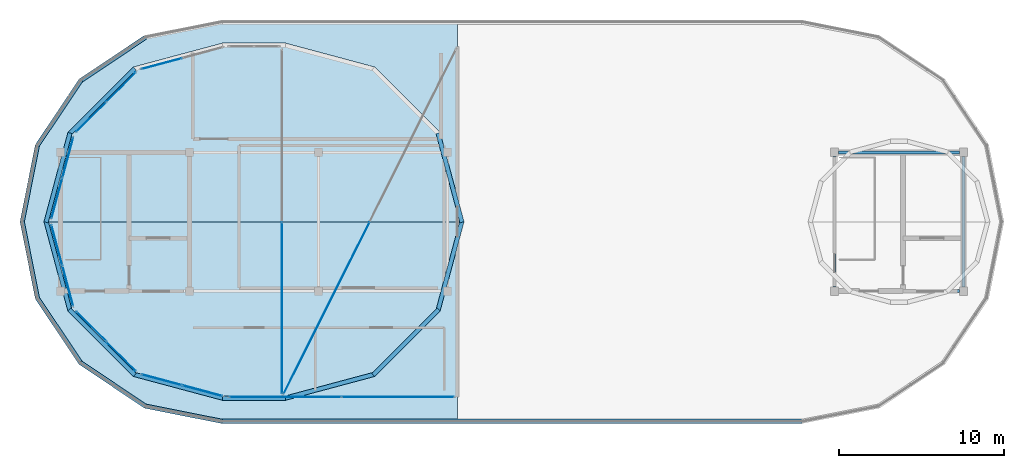
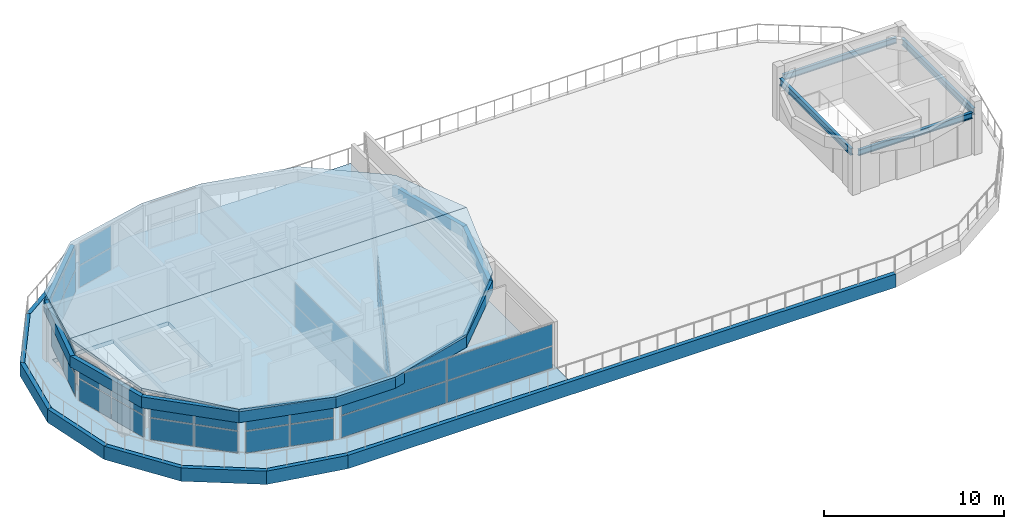
# One storey, part 12 of 15: 48 plates, 4 beams, 3 slabs, 9 elements without a shape of their own.
"""IFC4 building model written with IfcOpenShell, lengths in metres."""

from ifc_helpers import new_model, si_unit, direction, frame, origin, origin_2d, place, context, subcontext, project, spatial, polyline, rectangle, i_section, outline, extrude, material, layer, layer_set, material_profile, profile_set, type_object, element, aggregate, save


model = new_model("IFC4")

# Units and contexts
model_context = context("Model", 3, precision=1e-05, world=origin(), true_north=direction((0.0, 1.0)))
body_context = subcontext(model_context, "Body", "Model", "MODEL_VIEW")
ifc_project = project(units=[si_unit("LENGTHUNIT", "METRE"), si_unit("AREAUNIT", "SQUARE_METRE"), si_unit("VOLUMEUNIT", "CUBIC_METRE"), si_unit("PLANEANGLEUNIT", "RADIAN"), si_unit("MASSUNIT", "GRAM", prefix="KILO")], contexts=[model_context])

# Site, building, storey
site_placement = place(None, origin())
site = spatial("IfcSite", under=ifc_project, at=site_placement, CompositionType="ELEMENT")
building_placement = place(site_placement, origin())
building = spatial("IfcBuilding", under=site, at=building_placement, Name="Zizhar Promenade General Hospital", CompositionType="ELEMENT")
storey_placement = place(building_placement, frame((0.0, 0.0, 43.199951171875)))
storey = spatial("IfcBuildingStorey", under=building, at=storey_placement, Name="Roof", CompositionType="ELEMENT", Elevation=43.199951171875)

# Beams
ifc_material_1 = material(Name="Steel S355", Category="steel")
ifc_material_profile_1 = material_profile(ifc_material_1, i_section(OverallWidth=0.179931640625, OverallDepth=0.39990234375, WebThickness=0.008544921875, FlangeThickness=0.013427734375, FilletRadius=0.02099609375, at=origin_2d()))
ifc_profile_set_1 = profile_set([ifc_material_profile_1], Name="Steel S355")
beam_type_1 = type_object("IfcBeamType", Name="BM-STL-IPE400", PredefinedType="JOIST", material=ifc_profile_set_1)
for number, where, z_axis, x_axis, name in (
    (1, (93.85009765625, 8.39990234375, 2.610107421875), (1.0, 0.0, 0.0), (0.0, 1.0, 0.0), "Grid Beam X Roof (12-1)"),
    (2, (93.85009765625, 16.800048828125, 2.610107421875), (1.0, 0.0, 0.0), (0.0, 1.0, 0.0), "Grid Beam X Roof (12-2)"),
):
    element("IfcBeam", number, at=place(storey_placement, frame(where, z_axis=z_axis, x_axis=x_axis)), inside=storey, type_object=beam_type_1, Name=name, PredefinedType="JOIST", context=body_context, shape_type="SweptSolid", body=[
        extrude(i_section(OverallWidth=0.179931640625, OverallDepth=0.39990234375, WebThickness=0.008544921875, FlangeThickness=0.013427734375, FilletRadius=0.02099609375, at=origin_2d()), origin(), (0.0, 0.0, 1.0), 7.2998046875),
    ])
ifc_material_2 = material(Name="Steel S355", Category="steel")
ifc_material_profile_2 = material_profile(ifc_material_2, i_section(OverallWidth=0.18994140625, OverallDepth=0.449951171875, WebThickness=0.009521484375, FlangeThickness=0.0146484375, FilletRadius=0.02099609375, at=origin_2d()))
ifc_profile_set_2 = profile_set([ifc_material_profile_2], Name="Steel S355")
beam_type_2 = type_object("IfcBeamType", Name="BM-STL-IPE450", PredefinedType="JOIST", material=ifc_profile_set_2)
for number, where, z_axis, x_axis, name in (
    (3, (93.60009765625, 8.64990234375, 2.5849609375), (0.0, 1.0, 0.0), (-1.0, 0.0, 0.0), "Grid Beam Y Roof (12-1)"),
    (4, (101.39990234375, 8.64990234375, 2.5849609375), (0.0, 1.0, 0.0), (-1.0, 0.0, 0.0), "Grid Beam Y Roof (13-1)"),
):
    element("IfcBeam", number, at=place(storey_placement, frame(where, z_axis=z_axis, x_axis=x_axis)), inside=storey, type_object=beam_type_2, Name=name, PredefinedType="JOIST", context=body_context, shape_type="SweptSolid", body=[
        extrude(i_section(OverallWidth=0.18994140625, OverallDepth=0.449951171875, WebThickness=0.009521484375, FlangeThickness=0.0146484375, FilletRadius=0.02099609375, at=origin_2d()), origin(), (0.0, 0.0, 1.0), 7.900146484375),
    ])

# Curtain wall, plates
ifc_material_3 = material(Name="Anodised aluminium 6063-T6 and low-E glass", Category="aluminium")
ifc_layer_1 = layer(ifc_material_3, 0.159912109375)
ifc_layer_set_1 = layer_set([ifc_layer_1], Name="Anodised aluminium 6063-T6 and low-E glass")
curtain_wall_type = type_object("IfcCurtainWallType", Name="CW-WARD-ARC", PredefinedType="NOTDEFINED", material=ifc_layer_set_1)
curtain_wall_1_placement = place(storey_placement, origin())
curtain_wall_1 = element("IfcCurtainWall", 5, at=curtain_wall_1_placement, inside=storey, type_object=curtain_wall_type, Name="Rooftop Pillow Crown Glazing 02", PredefinedType="NOTDEFINED")
ifc_material_4 = material(Name="Low-E solar-control glass", Category="glass")
ifc_layer_2 = layer(ifc_material_4, 0.031982421875)
ifc_layer_set_2 = layer_set([ifc_layer_2], Name="Low-E solar-control glass")
plate_type_1 = type_object("IfcPlateType", Name="CWP-GLZ-32", PredefinedType="CURTAIN_PANEL", material=ifc_layer_set_2)
plate_1_placement = place(storey_placement, frame((62.892578125, 7.385009765625, 0.06005859375), z_axis=(0.0, 0.0, 1.0), x_axis=(0.447210174098, 0.894428901692, 0.0)))
plate_1 = element("IfcPlate", 6, at=plate_1_placement, type_object=plate_type_1, Name="CW-12 panel 1.1", PredefinedType="CURTAIN_PANEL", context=body_context, shape_type="SweptSolid", body=[
    extrude(rectangle(XDim=11.60107421875, YDim=0.031982421875, at=origin_2d()), origin(), (0.0, 0.0, 1.0), 1.4599609375),
])
plate_2_placement = place(storey_placement, frame((62.892578125, 7.385009765625, 1.580078125), z_axis=(0.0, 0.0, 1.0), x_axis=(0.447210174098, 0.894428901692, 0.0)))
plate_2 = element("IfcPlate", 7, at=plate_2_placement, type_object=plate_type_1, Name="CW-12 panel 1.2", PredefinedType="CURTAIN_PANEL", context=body_context, shape_type="SweptSolid", body=[
    extrude(rectangle(XDim=11.60107421875, YDim=0.031982421875, at=origin_2d()), origin(), (0.0, 0.0, 1.0), 1.4599609375),
])
aggregate(curtain_wall_1, [plate_1, plate_2])

curtain_wall_2_placement = place(storey_placement, origin())
curtain_wall_2 = element("IfcCurtainWall", 8, at=curtain_wall_2_placement, inside=storey, type_object=curtain_wall_type, Name="Rooftop Pillow Crown Glazing 03", PredefinedType="NOTDEFINED")
plate_3_placement = place(storey_placement, frame((60.199951171875, 7.39501953125, 0.06005859375), z_axis=(0.0, 0.0, 1.0), x_axis=(0.0, -1.0, 0.0)))
plate_3 = element("IfcPlate", 9, at=plate_3_placement, type_object=plate_type_1, Name="CW-12 panel 2.1", PredefinedType="CURTAIN_PANEL", context=body_context, shape_type="SweptSolid", body=[
    extrude(rectangle(XDim=10.35009765625, YDim=0.031982421875, at=origin_2d()), origin(), (0.0, 0.0, 1.0), 1.4599609375),
])
plate_4_placement = place(storey_placement, frame((60.199951171875, 7.39501953125, 1.580078125), z_axis=(0.0, 0.0, 1.0), x_axis=(0.0, -1.0, 0.0)))
plate_4 = element("IfcPlate", 10, at=plate_4_placement, type_object=plate_type_1, Name="CW-12 panel 2.2", PredefinedType="CURTAIN_PANEL", context=body_context, shape_type="SweptSolid", body=[
    extrude(rectangle(XDim=10.35009765625, YDim=0.031982421875, at=origin_2d()), origin(), (0.0, 0.0, 1.0), 1.4599609375),
])
aggregate(curtain_wall_2, [plate_3, plate_4])

curtain_wall_3_placement = place(storey_placement, origin())
curtain_wall_3 = element("IfcCurtainWall", 11, at=curtain_wall_3_placement, inside=storey, type_object=curtain_wall_type, Name="Rooftop Pillow Crown Glazing 05", PredefinedType="NOTDEFINED")
plate_5_placement = place(storey_placement, frame((52.916748046875, 22.159423828125, 0.06005859375), z_axis=(0.0, 0.0, 1.0), x_axis=(0.965927491601, 0.258812829994, 0.0)))
plate_5 = element("IfcPlate", 12, at=plate_5_placement, type_object=plate_type_1, Name="CW-12 panel 1.1", PredefinedType="CURTAIN_PANEL", context=body_context, shape_type="SweptSolid", body=[
    extrude(rectangle(XDim=2.493408203125, YDim=0.031982421875, at=origin_2d()), origin(), (0.0, 0.0, 1.0), 1.4599609375),
])
plate_6_placement = place(storey_placement, frame((52.916748046875, 22.159423828125, 1.580078125), z_axis=(0.0, 0.0, 1.0), x_axis=(0.965927491601, 0.258812829994, 0.0)))
plate_6 = element("IfcPlate", 13, at=plate_6_placement, type_object=plate_type_1, Name="CW-12 panel 1.2", PredefinedType="CURTAIN_PANEL", context=body_context, shape_type="SweptSolid", body=[
    extrude(rectangle(XDim=2.493408203125, YDim=0.031982421875, at=origin_2d()), origin(), (0.0, 0.0, 1.0), 1.4599609375),
])
aggregate(curtain_wall_3, [plate_5, plate_6])

curtain_wall_4_placement = place(storey_placement, origin())
curtain_wall_4 = element("IfcCurtainWall", 14, at=curtain_wall_4_placement, inside=storey, type_object=curtain_wall_type, Name="Rooftop Pillow Crown Glazing 06", PredefinedType="NOTDEFINED")
plate_7_placement = place(storey_placement, frame((48.6572265625, 18.93701171875, 0.06005859375), z_axis=(0.0, 0.0, 1.0), x_axis=(0.707106781187, 0.707106781187, 0.0)))
plate_7 = element("IfcPlate", 15, at=plate_7_placement, type_object=plate_type_1, Name="CW-12 panel 1.1", PredefinedType="CURTAIN_PANEL", context=body_context, shape_type="SweptSolid", body=[
    extrude(rectangle(XDim=2.49365234375, YDim=0.031982421875, at=origin_2d()), origin(), (0.0, 0.0, 1.0), 1.4599609375),
])
plate_8_placement = place(storey_placement, frame((48.6572265625, 18.93701171875, 1.580078125), z_axis=(0.0, 0.0, 1.0), x_axis=(0.707106781187, 0.707106781187, 0.0)))
plate_8 = element("IfcPlate", 16, at=plate_8_placement, type_object=plate_type_1, Name="CW-12 panel 1.2", PredefinedType="CURTAIN_PANEL", context=body_context, shape_type="SweptSolid", body=[
    extrude(rectangle(XDim=2.49365234375, YDim=0.031982421875, at=origin_2d()), origin(), (0.0, 0.0, 1.0), 1.4599609375),
])
plate_9_placement = place(storey_placement, frame((50.462890625, 20.74267578125, 0.06005859375), z_axis=(0.0, 0.0, 1.0), x_axis=(0.707106781187, 0.707106781187, 0.0)))
plate_9 = element("IfcPlate", 17, at=plate_9_placement, type_object=plate_type_1, Name="CW-12 panel 2.1", PredefinedType="CURTAIN_PANEL", context=body_context, shape_type="SweptSolid", body=[
    extrude(rectangle(XDim=2.49365234375, YDim=0.031982421875, at=origin_2d()), origin(), (0.0, 0.0, 1.0), 1.4599609375),
])
plate_10_placement = place(storey_placement, frame((50.462890625, 20.74267578125, 1.580078125), z_axis=(0.0, 0.0, 1.0), x_axis=(0.707106781187, 0.707106781187, 0.0)))
plate_10 = element("IfcPlate", 18, at=plate_10_placement, type_object=plate_type_1, Name="CW-12 panel 2.2", PredefinedType="CURTAIN_PANEL", context=body_context, shape_type="SweptSolid", body=[
    extrude(rectangle(XDim=2.49365234375, YDim=0.031982421875, at=origin_2d()), origin(), (0.0, 0.0, 1.0), 1.4599609375),
])
aggregate(curtain_wall_4, [plate_7, plate_8, plate_9, plate_10])

curtain_wall_5_placement = place(storey_placement, origin())
curtain_wall_5 = element("IfcCurtainWall", 19, at=curtain_wall_5_placement, inside=storey, type_object=curtain_wall_type, Name="Rooftop Pillow Crown Glazing 07", PredefinedType="NOTDEFINED")
plate_11_placement = place(storey_placement, frame((46.57958984375, 14.016845703125, 0.06005859375), z_axis=(0.0, 0.0, 1.0), x_axis=(0.258812829994, 0.965927491601, 0.0)))
plate_11 = element("IfcPlate", 20, at=plate_11_placement, type_object=plate_type_1, Name="CW-12 panel 1.1", PredefinedType="CURTAIN_PANEL", context=body_context, shape_type="SweptSolid", body=[
    extrude(rectangle(XDim=2.493408203125, YDim=0.031982421875, at=origin_2d()), origin(), (0.0, 0.0, 1.0), 1.4599609375),
])
plate_12_placement = place(storey_placement, frame((46.57958984375, 14.016845703125, 1.580078125), z_axis=(0.0, 0.0, 1.0), x_axis=(0.258812829994, 0.965927491601, 0.0)))
plate_12 = element("IfcPlate", 21, at=plate_12_placement, type_object=plate_type_1, Name="CW-12 panel 1.2", PredefinedType="CURTAIN_PANEL", context=body_context, shape_type="SweptSolid", body=[
    extrude(rectangle(XDim=2.493408203125, YDim=0.031982421875, at=origin_2d()), origin(), (0.0, 0.0, 1.0), 1.4599609375),
])
plate_13_placement = place(storey_placement, frame((47.240478515625, 16.483154296875, 0.06005859375), z_axis=(0.0, 0.0, 1.0), x_axis=(0.258812829994, 0.965927491601, 0.0)))
plate_13 = element("IfcPlate", 22, at=plate_13_placement, type_object=plate_type_1, Name="CW-12 panel 2.1", PredefinedType="CURTAIN_PANEL", context=body_context, shape_type="SweptSolid", body=[
    extrude(rectangle(XDim=2.493408203125, YDim=0.031982421875, at=origin_2d()), origin(), (0.0, 0.0, 1.0), 1.4599609375),
])
plate_14_placement = place(storey_placement, frame((47.240478515625, 16.483154296875, 1.580078125), z_axis=(0.0, 0.0, 1.0), x_axis=(0.258812829994, 0.965927491601, 0.0)))
plate_14 = element("IfcPlate", 23, at=plate_14_placement, type_object=plate_type_1, Name="CW-12 panel 2.2", PredefinedType="CURTAIN_PANEL", context=body_context, shape_type="SweptSolid", body=[
    extrude(rectangle(XDim=2.493408203125, YDim=0.031982421875, at=origin_2d()), origin(), (0.0, 0.0, 1.0), 1.4599609375),
])
aggregate(curtain_wall_5, [plate_11, plate_12, plate_13, plate_14])

curtain_wall_6_placement = place(storey_placement, origin())
curtain_wall_6 = element("IfcCurtainWall", 24, at=curtain_wall_6_placement, inside=storey, type_object=curtain_wall_type, Name="Rooftop Pillow Crown Glazing 08", PredefinedType="NOTDEFINED")
plate_15_placement = place(storey_placement, frame((47.240478515625, 8.716796875, 0.06005859375), z_axis=(0.0, 0.0, 1.0), x_axis=(-0.258812829994, 0.965927491601, 0.0)))
plate_15 = element("IfcPlate", 25, at=plate_15_placement, type_object=plate_type_1, Name="CW-12 panel 1.1", PredefinedType="CURTAIN_PANEL", context=body_context, shape_type="SweptSolid", body=[
    extrude(rectangle(XDim=2.493408203125, YDim=0.031982421875, at=origin_2d()), origin(), (0.0, 0.0, 1.0), 1.4599609375),
])
plate_16_placement = place(storey_placement, frame((47.240478515625, 8.716796875, 1.580078125), z_axis=(0.0, 0.0, 1.0), x_axis=(-0.258812829994, 0.965927491601, 0.0)))
plate_16 = element("IfcPlate", 26, at=plate_16_placement, type_object=plate_type_1, Name="CW-12 panel 1.2", PredefinedType="CURTAIN_PANEL", context=body_context, shape_type="SweptSolid", body=[
    extrude(rectangle(XDim=2.493408203125, YDim=0.031982421875, at=origin_2d()), origin(), (0.0, 0.0, 1.0), 1.4599609375),
])
plate_17_placement = place(storey_placement, frame((46.57958984375, 11.183349609375, 0.06005859375), z_axis=(0.0, 0.0, 1.0), x_axis=(-0.258812829994, 0.965927491601, 0.0)))
plate_17 = element("IfcPlate", 27, at=plate_17_placement, type_object=plate_type_1, Name="CW-12 panel 2.1", PredefinedType="CURTAIN_PANEL", context=body_context, shape_type="SweptSolid", body=[
    extrude(rectangle(XDim=2.493408203125, YDim=0.031982421875, at=origin_2d()), origin(), (0.0, 0.0, 1.0), 1.4599609375),
])
plate_18_placement = place(storey_placement, frame((46.57958984375, 11.183349609375, 1.580078125), z_axis=(0.0, 0.0, 1.0), x_axis=(-0.258812829994, 0.965927491601, 0.0)))
plate_18 = element("IfcPlate", 28, at=plate_18_placement, type_object=plate_type_1, Name="CW-12 panel 2.2", PredefinedType="CURTAIN_PANEL", context=body_context, shape_type="SweptSolid", body=[
    extrude(rectangle(XDim=2.493408203125, YDim=0.031982421875, at=origin_2d()), origin(), (0.0, 0.0, 1.0), 1.4599609375),
])
aggregate(curtain_wall_6, [plate_15, plate_16, plate_17, plate_18])

curtain_wall_7_placement = place(storey_placement, origin())
curtain_wall_7 = element("IfcCurtainWall", 29, at=curtain_wall_7_placement, inside=storey, type_object=curtain_wall_type, Name="Rooftop Pillow Crown Glazing 09", PredefinedType="NOTDEFINED")
plate_19_placement = place(storey_placement, frame((50.462890625, 4.457275390625, 0.06005859375), z_axis=(0.0, 0.0, 1.0), x_axis=(-0.707106781187, 0.707106781187, 0.0)))
plate_19 = element("IfcPlate", 30, at=plate_19_placement, type_object=plate_type_1, Name="CW-12 panel 1.1", PredefinedType="CURTAIN_PANEL", context=body_context, shape_type="SweptSolid", body=[
    extrude(rectangle(XDim=2.49365234375, YDim=0.031982421875, at=origin_2d()), origin(), (0.0, 0.0, 1.0), 1.4599609375),
])
plate_20_placement = place(storey_placement, frame((50.462890625, 4.457275390625, 1.580078125), z_axis=(0.0, 0.0, 1.0), x_axis=(-0.707106781187, 0.707106781187, 0.0)))
plate_20 = element("IfcPlate", 31, at=plate_20_placement, type_object=plate_type_1, Name="CW-12 panel 1.2", PredefinedType="CURTAIN_PANEL", context=body_context, shape_type="SweptSolid", body=[
    extrude(rectangle(XDim=2.49365234375, YDim=0.031982421875, at=origin_2d()), origin(), (0.0, 0.0, 1.0), 1.4599609375),
])
plate_21_placement = place(storey_placement, frame((48.6572265625, 6.262939453125, 0.06005859375), z_axis=(0.0, 0.0, 1.0), x_axis=(-0.707106781187, 0.707106781187, 0.0)))
plate_21 = element("IfcPlate", 32, at=plate_21_placement, type_object=plate_type_1, Name="CW-12 panel 2.1", PredefinedType="CURTAIN_PANEL", context=body_context, shape_type="SweptSolid", body=[
    extrude(rectangle(XDim=2.49365234375, YDim=0.031982421875, at=origin_2d()), origin(), (0.0, 0.0, 1.0), 1.4599609375),
])
plate_22_placement = place(storey_placement, frame((48.6572265625, 6.262939453125, 1.580078125), z_axis=(0.0, 0.0, 1.0), x_axis=(-0.707106781187, 0.707106781187, 0.0)))
plate_22 = element("IfcPlate", 33, at=plate_22_placement, type_object=plate_type_1, Name="CW-12 panel 2.2", PredefinedType="CURTAIN_PANEL", context=body_context, shape_type="SweptSolid", body=[
    extrude(rectangle(XDim=2.49365234375, YDim=0.031982421875, at=origin_2d()), origin(), (0.0, 0.0, 1.0), 1.4599609375),
])
aggregate(curtain_wall_7, [plate_19, plate_20, plate_21, plate_22])

curtain_wall_8_placement = place(storey_placement, origin())
curtain_wall_8 = element("IfcCurtainWall", 34, at=curtain_wall_8_placement, inside=storey, type_object=curtain_wall_type, Name="Rooftop Pillow Crown Glazing 10", PredefinedType="NOTDEFINED")
plate_23_placement = place(storey_placement, frame((55.38330078125, 2.379638671875, 0.06005859375), z_axis=(0.0, 0.0, 1.0), x_axis=(-0.965927491601, 0.258812829994, 0.0)))
plate_23 = element("IfcPlate", 35, at=plate_23_placement, type_object=plate_type_1, Name="CW-12 panel 1.1", PredefinedType="CURTAIN_PANEL", context=body_context, shape_type="SweptSolid", body=[
    extrude(rectangle(XDim=2.493408203125, YDim=0.031982421875, at=origin_2d()), origin(), (0.0, 0.0, 1.0), 1.4599609375),
])
plate_24_placement = place(storey_placement, frame((55.38330078125, 2.379638671875, 1.580078125), z_axis=(0.0, 0.0, 1.0), x_axis=(-0.965927491601, 0.258812829994, 0.0)))
plate_24 = element("IfcPlate", 36, at=plate_24_placement, type_object=plate_type_1, Name="CW-12 panel 1.2", PredefinedType="CURTAIN_PANEL", context=body_context, shape_type="SweptSolid", body=[
    extrude(rectangle(XDim=2.493408203125, YDim=0.031982421875, at=origin_2d()), origin(), (0.0, 0.0, 1.0), 1.4599609375),
])
plate_25_placement = place(storey_placement, frame((52.916748046875, 3.04052734375, 0.06005859375), z_axis=(0.0, 0.0, 1.0), x_axis=(-0.965927491601, 0.258812829994, 0.0)))
plate_25 = element("IfcPlate", 37, at=plate_25_placement, type_object=plate_type_1, Name="CW-12 panel 2.1", PredefinedType="CURTAIN_PANEL", context=body_context, shape_type="SweptSolid", body=[
    extrude(rectangle(XDim=2.493408203125, YDim=0.031982421875, at=origin_2d()), origin(), (0.0, 0.0, 1.0), 1.4599609375),
])
plate_26_placement = place(storey_placement, frame((52.916748046875, 3.04052734375, 1.580078125), z_axis=(0.0, 0.0, 1.0), x_axis=(-0.965927491601, 0.258812829994, 0.0)))
plate_26 = element("IfcPlate", 38, at=plate_26_placement, type_object=plate_type_1, Name="CW-12 panel 2.2", PredefinedType="CURTAIN_PANEL", context=body_context, shape_type="SweptSolid", body=[
    extrude(rectangle(XDim=2.493408203125, YDim=0.031982421875, at=origin_2d()), origin(), (0.0, 0.0, 1.0), 1.4599609375),
])
aggregate(curtain_wall_8, [plate_23, plate_24, plate_25, plate_26])

curtain_wall_9_placement = place(storey_placement, origin())
curtain_wall_9 = element("IfcCurtainWall", 39, at=curtain_wall_9_placement, inside=storey, type_object=curtain_wall_type, Name="Rooftop Pillow Crown Glazing 11", PredefinedType="NOTDEFINED")
plate_27_placement = place(storey_placement, frame((67.205078125, 2.0, 0.06005859375), z_axis=(0.0, 0.0, 1.0), x_axis=(-1.0, 0.0, 0.0)))
plate_27 = element("IfcPlate", 40, at=plate_27_placement, type_object=plate_type_1, Name="CW-12 panel 1.1", PredefinedType="CURTAIN_PANEL", context=body_context, shape_type="SweptSolid", body=[
    extrude(rectangle(XDim=6.75, YDim=0.031982421875, at=origin_2d()), origin(), (0.0, 0.0, 1.0), 1.4599609375),
])
plate_28_placement = place(storey_placement, frame((67.205078125, 2.0, 1.580078125), z_axis=(0.0, 0.0, 1.0), x_axis=(-1.0, 0.0, 0.0)))
plate_28 = element("IfcPlate", 41, at=plate_28_placement, type_object=plate_type_1, Name="CW-12 panel 1.2", PredefinedType="CURTAIN_PANEL", context=body_context, shape_type="SweptSolid", body=[
    extrude(rectangle(XDim=6.75, YDim=0.031982421875, at=origin_2d()), origin(), (0.0, 0.0, 1.0), 1.4599609375),
])
plate_29_placement = place(storey_placement, frame((60.39501953125, 2.0, 0.06005859375), z_axis=(0.0, 0.0, 1.0), x_axis=(-1.0, 0.0, 0.0)))
plate_29 = element("IfcPlate", 42, at=plate_29_placement, type_object=plate_type_1, Name="CW-12 panel 2.1", PredefinedType="CURTAIN_PANEL", context=body_context, shape_type="SweptSolid", body=[
    extrude(rectangle(XDim=6.75, YDim=0.031982421875, at=origin_2d()), origin(), (0.0, 0.0, 1.0), 1.4599609375),
])
plate_30_placement = place(storey_placement, frame((60.39501953125, 2.0, 1.580078125), z_axis=(0.0, 0.0, 1.0), x_axis=(-1.0, 0.0, 0.0)))
plate_30 = element("IfcPlate", 43, at=plate_30_placement, type_object=plate_type_1, Name="CW-12 panel 2.2", PredefinedType="CURTAIN_PANEL", context=body_context, shape_type="SweptSolid", body=[
    extrude(rectangle(XDim=6.75, YDim=0.031982421875, at=origin_2d()), origin(), (0.0, 0.0, 1.0), 1.4599609375),
])
aggregate(curtain_wall_9, [plate_27, plate_28, plate_29, plate_30])

# Plates
ifc_material_5 = material(Name="Precast concrete C40/50", Category="concrete")
ifc_layer_3 = layer(ifc_material_5, 0.260009765625)
ifc_layer_set_3 = layer_set([ifc_layer_3], Name="Precast concrete C40/50")
plate_type_2 = type_object("IfcPlateType", Name="PL-PC-BAND950", PredefinedType="USERDEFINED", material=ifc_layer_set_3)
plate_31_placement = place(storey_placement, frame((0.0, 0.0, -0.89990234375)))
element("IfcPlate", 44, at=plate_31_placement, inside=storey, type_object=plate_type_2, Name="Ward Precast Slab Band Roof-11", ObjectType="FASCIA_BAND", PredefinedType="USERDEFINED", context=body_context, shape_type="SweptSolid", body=[
    extrude(outline(polyline([(51.88134765625, 23.871337890625), (47.92333984375, 21.226806640625), (48.067626953125, 21.010498046875), (52.025634765625, 23.655029296875), (51.88134765625, 23.871337890625)])), origin(), (0.0, 0.0, 1.0), 0.89990234375),
])
plate_32_placement = place(storey_placement, frame((0.0, 0.0, -0.89990234375)))
element("IfcPlate", 45, at=plate_32_placement, inside=storey, type_object=plate_type_2, Name="Ward Precast Slab Band Roof-12", ObjectType="FASCIA_BAND", PredefinedType="USERDEFINED", context=body_context, shape_type="SweptSolid", body=[
    extrude(outline(polyline([(47.92333984375, 21.226806640625), (45.27880859375, 17.268798828125), (45.494873046875, 17.124267578125), (48.139404296875, 21.082275390625), (47.92333984375, 21.226806640625)])), origin(), (0.0, 0.0, 1.0), 0.89990234375),
])
plate_33_placement = place(storey_placement, frame((0.0, 0.0, -0.89990234375)))
element("IfcPlate", 46, at=plate_33_placement, inside=storey, type_object=plate_type_2, Name="Ward Precast Slab Band Roof-13", ObjectType="FASCIA_BAND", PredefinedType="USERDEFINED", context=body_context, shape_type="SweptSolid", body=[
    extrude(outline(polyline([(45.27880859375, 17.268798828125), (44.35009765625, 12.60009765625), (44.60498046875, 12.54931640625), (45.53369140625, 17.218017578125), (45.27880859375, 17.268798828125)])), origin(), (0.0, 0.0, 1.0), 0.89990234375),
])
plate_34_placement = place(storey_placement, frame((0.0, 0.0, -0.89990234375)))
element("IfcPlate", 47, at=plate_34_placement, inside=storey, type_object=plate_type_2, Name="Ward Precast Slab Band Roof-14", ObjectType="FASCIA_BAND", PredefinedType="USERDEFINED", context=body_context, shape_type="SweptSolid", body=[
    extrude(outline(polyline([(44.35009765625, 12.60009765625), (45.27880859375, 7.931396484375), (45.53369140625, 7.98193359375), (44.60498046875, 12.650634765625), (44.35009765625, 12.60009765625)])), origin(), (0.0, 0.0, 1.0), 0.89990234375),
])
plate_35_placement = place(storey_placement, frame((0.0, 0.0, -0.89990234375)))
element("IfcPlate", 48, at=plate_35_placement, inside=storey, type_object=plate_type_2, Name="Ward Precast Slab Band Roof-15", ObjectType="FASCIA_BAND", PredefinedType="USERDEFINED", context=body_context, shape_type="SweptSolid", body=[
    extrude(outline(polyline([(45.27880859375, 7.931396484375), (47.92333984375, 3.973388671875), (48.139404296875, 4.11767578125), (45.494873046875, 8.07568359375), (45.27880859375, 7.931396484375)])), origin(), (0.0, 0.0, 1.0), 0.89990234375),
])
plate_36_placement = place(storey_placement, frame((0.0, 0.0, -0.89990234375)))
element("IfcPlate", 49, at=plate_36_placement, inside=storey, type_object=plate_type_2, Name="Ward Precast Slab Band Roof-16", ObjectType="FASCIA_BAND", PredefinedType="USERDEFINED", context=body_context, shape_type="SweptSolid", body=[
    extrude(outline(polyline([(47.92333984375, 3.973388671875), (51.88134765625, 1.32861328125), (52.025634765625, 1.544921875), (48.067626953125, 4.189453125), (47.92333984375, 3.973388671875)])), origin(), (0.0, 0.0, 1.0), 0.89990234375),
])
plate_37_placement = place(storey_placement, frame((0.0, 0.0, -0.89990234375)))
element("IfcPlate", 50, at=plate_37_placement, inside=storey, type_object=plate_type_2, Name="Ward Precast Slab Band Roof-17", ObjectType="FASCIA_BAND", PredefinedType="USERDEFINED", context=body_context, shape_type="SweptSolid", body=[
    extrude(outline(polyline([(51.88134765625, 1.32861328125), (56.550048828125, 0.39990234375), (56.6005859375, 0.655029296875), (51.931884765625, 1.583740234375), (51.88134765625, 1.32861328125)])), origin(), (0.0, 0.0, 1.0), 0.89990234375),
])
plate_38_placement = place(storey_placement, frame((0.0, 0.0, -0.89990234375)))
element("IfcPlate", 51, at=plate_38_placement, inside=storey, type_object=plate_type_2, Name="Ward Precast Slab Band Roof-18", ObjectType="FASCIA_BAND", PredefinedType="USERDEFINED", context=body_context, shape_type="SweptSolid", body=[
    extrude(outline(polyline([(56.550048828125, 0.39990234375), (91.64990234375, 0.39990234375), (91.64990234375, 0.659912109375), (56.550048828125, 0.659912109375), (56.550048828125, 0.39990234375)])), origin(), (0.0, 0.0, 1.0), 0.89990234375),
])
plate_39_placement = place(storey_placement, frame((0.0, 0.0, 2.35009765625)))
element("IfcPlate", 52, at=plate_39_placement, inside=storey, type_object=plate_type_2, Name="Rooftop CrownW Fascia Band 01", ObjectType="FASCIA_BAND", PredefinedType="USERDEFINED", context=body_context, shape_type="SweptSolid", body=[
    extrude(outline(polyline([(60.39990234375, 1.800048828125), (65.800048828125, 3.246826171875), (65.732666015625, 3.498046875), (60.332763671875, 2.051025390625), (60.39990234375, 1.800048828125)])), origin(), (0.0, 0.0, 1.0), 0.75),
])
plate_40_placement = place(storey_placement, frame((0.0, 0.0, 2.35009765625)))
element("IfcPlate", 53, at=plate_40_placement, inside=storey, type_object=plate_type_2, Name="Rooftop CrownW Fascia Band 02", ObjectType="FASCIA_BAND", PredefinedType="USERDEFINED", context=body_context, shape_type="SweptSolid", body=[
    extrude(outline(polyline([(65.800048828125, 3.246826171875), (69.753173828125, 7.199951171875), (69.5693359375, 7.3837890625), (65.6162109375, 3.4306640625), (65.800048828125, 3.246826171875)])), origin(), (0.0, 0.0, 1.0), 0.75),
])
plate_41_placement = place(storey_placement, frame((0.0, 0.0, 2.35009765625)))
element("IfcPlate", 54, at=plate_41_placement, inside=storey, type_object=plate_type_2, Name="Rooftop CrownW Fascia Band 03", ObjectType="FASCIA_BAND", PredefinedType="USERDEFINED", context=body_context, shape_type="SweptSolid", body=[
    extrude(outline(polyline([(69.753173828125, 7.199951171875), (71.199951171875, 12.60009765625), (70.948974609375, 12.667236328125), (69.501953125, 7.267333984375), (69.753173828125, 7.199951171875)])), origin(), (0.0, 0.0, 1.0), 0.75),
])
plate_42_placement = place(storey_placement, frame((0.0, 0.0, 2.35009765625)))
element("IfcPlate", 55, at=plate_42_placement, inside=storey, type_object=plate_type_2, Name="Rooftop CrownW Fascia Band 04", ObjectType="FASCIA_BAND", PredefinedType="USERDEFINED", context=body_context, shape_type="SweptSolid", body=[
    extrude(outline(polyline([(71.199951171875, 12.60009765625), (69.753173828125, 18.0), (69.501953125, 17.9326171875), (70.948974609375, 12.53271484375), (71.199951171875, 12.60009765625)])), origin(), (0.0, 0.0, 1.0), 0.75),
])
plate_43_placement = place(storey_placement, frame((0.0, 0.0, 2.35009765625)))
element("IfcPlate", 56, at=plate_43_placement, inside=storey, type_object=plate_type_2, Name="Rooftop CrownW Fascia Band 09", ObjectType="FASCIA_BAND", PredefinedType="USERDEFINED", context=body_context, shape_type="SweptSolid", body=[
    extrude(outline(polyline([(51.199951171875, 21.953125), (47.246826171875, 18.0), (47.4306640625, 17.816162109375), (51.3837890625, 21.769287109375), (51.199951171875, 21.953125)])), origin(), (0.0, 0.0, 1.0), 0.75),
])
plate_44_placement = place(storey_placement, frame((0.0, 0.0, 2.35009765625)))
element("IfcPlate", 57, at=plate_44_placement, inside=storey, type_object=plate_type_2, Name="Rooftop CrownW Fascia Band 10", ObjectType="FASCIA_BAND", PredefinedType="USERDEFINED", context=body_context, shape_type="SweptSolid", body=[
    extrude(outline(polyline([(47.246826171875, 18.0), (45.800048828125, 12.60009765625), (46.051025390625, 12.53271484375), (47.498046875, 17.9326171875), (47.246826171875, 18.0)])), origin(), (0.0, 0.0, 1.0), 0.75),
])
plate_45_placement = place(storey_placement, frame((0.0, 0.0, 2.35009765625)))
element("IfcPlate", 58, at=plate_45_placement, inside=storey, type_object=plate_type_2, Name="Rooftop CrownW Fascia Band 11", ObjectType="FASCIA_BAND", PredefinedType="USERDEFINED", context=body_context, shape_type="SweptSolid", body=[
    extrude(outline(polyline([(45.800048828125, 12.60009765625), (47.246826171875, 7.199951171875), (47.498046875, 7.267333984375), (46.051025390625, 12.667236328125), (45.800048828125, 12.60009765625)])), origin(), (0.0, 0.0, 1.0), 0.75),
])
plate_46_placement = place(storey_placement, frame((0.0, 0.0, 2.35009765625)))
element("IfcPlate", 59, at=plate_46_placement, inside=storey, type_object=plate_type_2, Name="Rooftop CrownW Fascia Band 12", ObjectType="FASCIA_BAND", PredefinedType="USERDEFINED", context=body_context, shape_type="SweptSolid", body=[
    extrude(outline(polyline([(47.246826171875, 7.199951171875), (51.199951171875, 3.246826171875), (51.3837890625, 3.4306640625), (47.4306640625, 7.3837890625), (47.246826171875, 7.199951171875)])), origin(), (0.0, 0.0, 1.0), 0.75),
])
plate_47_placement = place(storey_placement, frame((0.0, 0.0, 2.35009765625)))
element("IfcPlate", 60, at=plate_47_placement, inside=storey, type_object=plate_type_2, Name="Rooftop CrownW Fascia Band 13", ObjectType="FASCIA_BAND", PredefinedType="USERDEFINED", context=body_context, shape_type="SweptSolid", body=[
    extrude(outline(polyline([(51.199951171875, 3.246826171875), (56.60009765625, 1.800048828125), (56.667236328125, 2.051025390625), (51.267333984375, 3.498046875), (51.199951171875, 3.246826171875)])), origin(), (0.0, 0.0, 1.0), 0.75),
])
plate_48_placement = place(storey_placement, frame((0.0, 0.0, 2.35009765625)))
element("IfcPlate", 61, at=plate_48_placement, inside=storey, type_object=plate_type_2, Name="Rooftop CrownW Fascia Band 14", ObjectType="FASCIA_BAND", PredefinedType="USERDEFINED", context=body_context, shape_type="SweptSolid", body=[
    extrude(outline(polyline([(56.60009765625, 1.800048828125), (60.39990234375, 1.800048828125), (60.39990234375, 2.06005859375), (56.60009765625, 2.06005859375), (56.60009765625, 1.800048828125)])), origin(), (0.0, 0.0, 1.0), 0.75),
])

# Slabs
ifc_material_6 = material(Name="Concrete C35/45", Category="concrete")
ifc_layer_4 = layer(ifc_material_6, 0.27001953125)
ifc_layer_set_4 = layer_set([ifc_layer_4], Name="Concrete C35/45")
slab_type_1 = type_object("IfcSlabType", Name="SLB-PENT-270", PredefinedType="FLOOR", material=ifc_layer_set_4)
slab_1_placement = place(storey_placement, frame((0.0, 0.0, -0.27001953125)))
element("IfcSlab", 62, at=slab_1_placement, inside=storey, type_object=slab_type_1, Name="Rooftop Helipad Trauma Penthouse Floor Slab", PredefinedType="FLOOR", context=body_context, shape_type="SweptSolid", body=[
    extrude(outline(polyline([(70.800048828125, 0.39990234375), (70.800048828125, 24.800048828125), (56.550048828125, 24.800048828125), (51.88134765625, 23.871337890625), (47.92333984375, 21.226806640625), (45.27880859375, 17.268798828125), (44.35009765625, 12.60009765625), (45.27880859375, 7.931396484375), (47.92333984375, 3.973388671875), (51.88134765625, 1.32861328125), (56.550048828125, 0.39990234375), (70.800048828125, 0.39990234375)]), holes=[polyline([(46.97998046875, 10.429931640625), (46.97998046875, 16.6201171875), (50.8798828125, 16.6201171875), (50.8798828125, 10.429931640625), (46.97998046875, 10.429931640625)]), polyline([(51.14990234375, 11.6201171875), (51.14990234375, 16.580078125), (54.3798828125, 16.580078125), (54.3798828125, 11.6201171875), (51.14990234375, 11.6201171875)])]), origin(), (0.0, 0.0, 1.0), 0.27001953125),
])
ifc_material_7 = material(Name="Concrete C35/45", Category="concrete")
ifc_layer_5 = layer(ifc_material_7, 0.199951171875)
ifc_layer_set_5 = layer_set([ifc_layer_5], Name="Concrete C35/45")
slab_type_2 = type_object("IfcSlabType", Name="SLB-SAW-200", PredefinedType="ROOF", material=ifc_layer_set_5)
slab_2_placement = place(storey_placement, frame((69.7529296875, 7.199951171875, 3.68994140625), z_axis=(0.0, -0.10861446138, 0.994083949563), x_axis=(-0.705005933797, -0.705005734039, -0.077029528649)))
element("IfcSlab", 63, at=slab_2_placement, inside=storey, type_object=slab_type_2, Name="Rooftop Pillow Penthouse Vaulted Crown Shell (S)", PredefinedType="ROOF", context=body_context, shape_type="SweptSolid", body=[
    extrude(outline(polyline([(0.0, 0.0), (5.606876013209059, -9.020562075079397e-17), (10.446337277938943, -2.8035725274075634), (13.125222129895114, -5.498399351733524), (15.900031494877197, -10.354409775657995), (15.866764404570011, -15.961187096740186), (13.034334709175926, -20.81721417289063), (-4.87274716102557, -2.8035677356492927), (0.0, 0.0)])), origin(), (0.0, 0.0, -1.0), 0.199951171875),
])
slab_3_placement = place(storey_placement, frame((47.2470703125, 18.0, 3.68994140625), z_axis=(0.0, 0.108617367348, 0.99408363205), x_axis=(0.705005933801, 0.705005508854, -0.077031589565)))
element("IfcSlab", 64, at=slab_3_placement, inside=storey, type_object=slab_type_2, Name="Rooftop Pillow Penthouse Vaulted Crown Shell (N)", PredefinedType="ROOF", context=body_context, shape_type="SweptSolid", body=[
    extrude(outline(polyline([(0.0, 0.0), (5.606876013175631, 2.7755575615628914e-17), (10.446337277621321, -2.803572527677912), (13.125222129593464, -5.498399351987994), (15.900031494905136, -10.354409775596991), (15.866764404664607, -15.961187096646151), (13.034506829670924, -20.81704307066608), (-4.872575040637336, -2.8033966335308698), (0.0, 0.0)])), origin(), (0.0, 0.0, -1.0), 0.199951171875),
])

save(model, "model.ifc")
